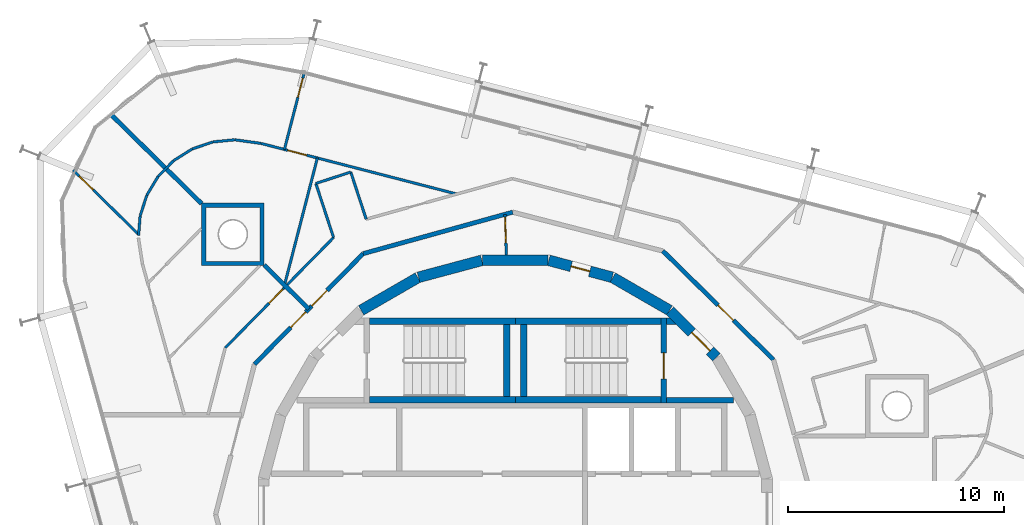
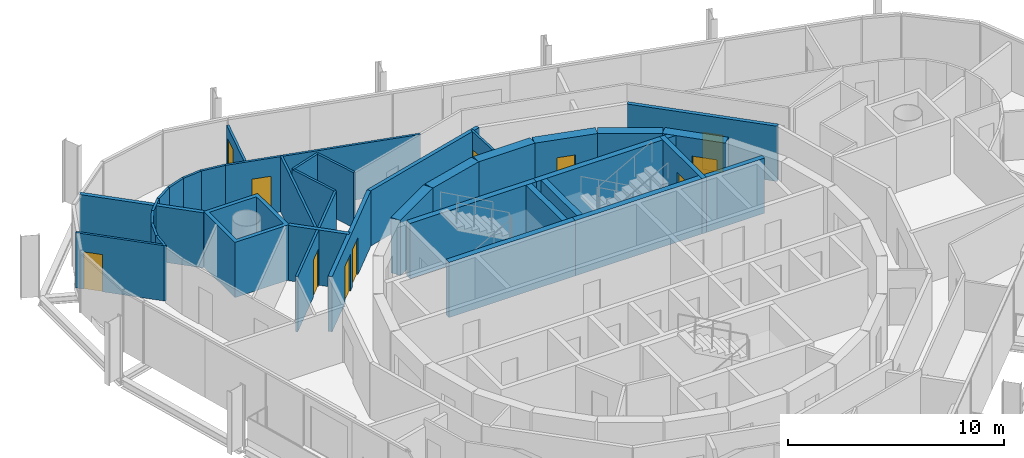
# One storey, part 13 of 15: 38 walls, 11 doors, 11 openings.
"""IFC4 building model written with IfcOpenShell, lengths in metres."""

from ifc_helpers import new_model, si_unit, direction, frame, frame_2d, origin, place, context, subcontext, project, spatial, polyline, rectangle, outline, extrude, material, layer, layer_set, type_object, element, fill, save


model = new_model("IFC4")

# Units and contexts
model_context = context("Model", 3, precision=1e-05, world=origin(), true_north=direction((0.0, 1.0)))
body_context = subcontext(model_context, "Body", "Model", "MODEL_VIEW")
ifc_project = project(units=[si_unit("LENGTHUNIT", "METRE"), si_unit("AREAUNIT", "SQUARE_METRE"), si_unit("VOLUMEUNIT", "CUBIC_METRE"), si_unit("PLANEANGLEUNIT", "RADIAN"), si_unit("MASSUNIT", "GRAM", prefix="KILO")], contexts=[model_context])

# Site, building, storey
site_placement = place(None, origin())
site = spatial("IfcSite", under=ifc_project, at=site_placement, CompositionType="ELEMENT")
building_placement = place(site_placement, origin())
building = spatial("IfcBuilding", under=site, at=building_placement, Name="Spindle Arch Residences", CompositionType="ELEMENT")
storey_placement = place(building_placement, frame((0.0, 0.0, 319.199951171875)))
storey = spatial("IfcBuildingStorey", under=building, at=storey_placement, Name="L82", CompositionType="ELEMENT", Elevation=319.199951171875)

# Wall, opening, door
ifc_material_1 = material(Name="Concrete C50/60", Category="concrete")
ifc_layer_1 = layer(ifc_material_1, 0.5)
ifc_layer_set_1 = layer_set([ifc_layer_1], Name="Core outline wall 500")
wall_type_1 = type_object("IfcWallType", Name="Core outline wall 500", PredefinedType="SHEAR", material=ifc_layer_set_1)
wall_1_placement = place(storey_placement, frame((9.30810546875, 7.163818359375, 0.0), z_axis=(0.0, 0.0, 1.0), x_axis=(-0.707106781187, 0.707106781187, 0.0)))
wall_1 = element("IfcWall", 1, at=wall_1_placement, inside=storey, type_object=wall_type_1, Name="Core outline wall 9", PredefinedType="SHEAR", context=body_context, shape_type="SweptSolid", body=[
    extrude(rectangle(XDim=3.032470703125, YDim=0.5, at=frame_2d((1.51611328125, 0.0))), origin(), (0.0, 0.0, 1.0), 3.1201171875),
])
opening_1_placement = place(wall_1_placement, frame((0.416259765625, 0.0, 0.0)))
opening_1 = element("IfcOpeningElement", 2, at=opening_1_placement, cuts=wall_1, Name="Opening R8C0-AD01", PredefinedType="OPENING", context=body_context, shape_type="SweptSolid", body=[
    extrude(rectangle(XDim=1.199951171875, YDim=2.10009765625, at=frame_2d((0.60009765625, 1.050048828125))), frame((0.0, 0.260009765625, 0.0), z_axis=(0.0, -1.0, 0.0), x_axis=(1.0, 0.0, 0.0)), (0.0, 0.0, 1.0), 0.52001953125),
])
ifc_material_2 = material(Name="Steel, fire-resisting door", Category="steel")
door_type_1 = type_object("IfcDoorType", Name="Stair airlock door 1200x2100", OperationType="SINGLE_SWING_LEFT", PredefinedType="DOOR", material=ifc_material_2)
door_1_placement = place(opening_1_placement, origin())
door_1 = element("IfcDoor", 3, at=door_1_placement, inside=storey, type_object=door_type_1, Name="Stair airlock door R8C0-AD01", OperationType="SINGLE_SWING_RIGHT", OverallHeight=2.10009765625, OverallWidth=1.199951171875, PredefinedType="DOOR", context=body_context, shape_type="SweptSolid", body=[
    extrude(rectangle(XDim=1.199951171875, YDim=2.10009765625, at=frame_2d((0.60009765625, 1.050048828125))), frame((0.0, 0.02490234375, 0.0), z_axis=(0.0, -1.0, 0.0), x_axis=(1.0, 0.0, 0.0)), (0.0, 0.0, 1.0), 0.050048828125),
])
fill(opening_1, door_1)

# Wall
wall_2_placement = place(storey_placement, frame((7.13671875, 9.32861328125, 0.0), z_axis=(0.0, 0.0, 1.0), x_axis=(-0.865975092491, 0.500087131594, 0.0)))
element("IfcWall", 4, at=wall_2_placement, inside=storey, type_object=wall_type_1, Name="Core outline wall 10", PredefinedType="SHEAR", context=body_context, shape_type="SweptSolid", body=[
    extrude(rectangle(XDim=3.03271484375, YDim=0.5, at=frame_2d((1.516357421875, 0.0))), origin(), (0.0, 0.0, 1.0), 3.1201171875),
])

# Wall, opening, door
wall_3_placement = place(storey_placement, frame((4.479248046875, 10.858154296875, 0.0), z_axis=(0.0, 0.0, 1.0), x_axis=(-0.965948410781, 0.258734743916, 0.0)))
wall_3 = element("IfcWall", 5, at=wall_3_placement, inside=storey, type_object=wall_type_1, Name="Core outline wall 11", PredefinedType="SHEAR", context=body_context, shape_type="SweptSolid", body=[
    extrude(rectangle(XDim=3.03271484375, YDim=0.5, at=frame_2d((1.516357421875, 0.0))), origin(), (0.0, 0.0, 1.0), 3.1201171875),
])
opening_2_placement = place(wall_3_placement, frame((1.066162109375, 0.0, 0.0)))
opening_2 = element("IfcOpeningElement", 6, at=opening_2_placement, cuts=wall_3, Name="Opening R8C0-WD11", PredefinedType="OPENING", context=body_context, shape_type="SweptSolid", body=[
    extrude(rectangle(XDim=0.89990234375, YDim=2.10009765625, at=frame_2d((0.449951171875, 1.050048828125))), frame((0.0, 0.260009765625, 0.0), z_axis=(0.0, -1.0, 0.0), x_axis=(1.0, 0.0, 0.0)), (0.0, 0.0, 1.0), 0.52001953125),
])
ifc_material_3 = material(Name="Steel, fire-resisting door", Category="steel")
door_type_2 = type_object("IfcDoorType", Name="Service room door 900x2100", OperationType="SINGLE_SWING_LEFT", PredefinedType="DOOR", material=ifc_material_3)
door_2_placement = place(opening_2_placement, origin())
door_2 = element("IfcDoor", 7, at=door_2_placement, inside=storey, type_object=door_type_2, Name="Service room door R8C0-WD11", OperationType="SINGLE_SWING_LEFT", OverallHeight=2.10009765625, OverallWidth=0.89990234375, PredefinedType="DOOR", context=body_context, shape_type="SweptSolid", body=[
    extrude(rectangle(XDim=0.89990234375, YDim=2.10009765625, at=frame_2d((0.449951171875, 1.050048828125))), frame((0.0, 0.02490234375, 0.0), z_axis=(0.0, -1.0, 0.0), x_axis=(1.0, 0.0, 0.0)), (0.0, 0.0, 1.0), 0.050048828125),
])
fill(opening_2, door_2)

# Walls
for number, where, z_axis, x_axis, name in (
    (8, (1.516357421875, 11.647216796875, 0.0), (0.0, 0.0, 1.0), (-1.0, 0.0, 0.0), "Core outline wall 12"),
    (9, (-1.5498046875, 11.642822265625, 0.0), (0.0, 0.0, 1.0), (-0.965948410781, -0.258734743916, 0.0), "Core outline wall 13"),
    (10, (-4.510498046875, 10.84521484375, 0.0), (0.0, 0.0, 1.0), (-0.865975092491, -0.500087131594, 0.0), "Core outline wall 14"),
):
    element("IfcWall", number, at=place(storey_placement, frame(where, z_axis=z_axis, x_axis=x_axis)), inside=storey, type_object=wall_type_1, Name=name, PredefinedType="SHEAR", context=body_context, shape_type="SweptSolid", body=[
        extrude(rectangle(XDim=3.03271484375, YDim=0.5, at=frame_2d((1.516357421875, 0.0))), origin(), (0.0, 0.0, 1.0), 3.1201171875),
    ])

# Wall, opening, door
ifc_material_4 = material(Name="Plasterboard on steel studs", Category="steel")
ifc_layer_2 = layer(ifc_material_4, 0.1201171875)
ifc_layer_set_2 = layer_set([ifc_layer_2], Name="Corridor division wall 120")
wall_type_2 = type_object("IfcWallType", Name="Corridor division wall 120", PredefinedType="PARTITIONING", material=ifc_layer_set_2)
wall_4_placement = place(storey_placement, frame((-0.48095703125, 13.7724609375, 0.0), z_axis=(0.0, 0.0, 1.0), x_axis=(0.034870071203, -0.999391854146, 0.0)))
wall_4 = element("IfcWall", 11, at=wall_4_placement, inside=storey, type_object=wall_type_2, Name="Corridor division wall R8C0-W001", PredefinedType="PARTITIONING", context=body_context, shape_type="SweptSolid", body=[
    extrude(rectangle(XDim=1.87646484375, YDim=0.1201171875, at=frame_2d((0.938232421875, 0.0))), origin(), (0.0, 0.0, 1.0), 3.1201171875),
])
opening_3_placement = place(wall_4_placement, frame((0.125, 0.0, 0.0)))
opening_3 = element("IfcOpeningElement", 12, at=opening_3_placement, cuts=wall_4, Name="Opening R8C0-CD01", PredefinedType="OPENING", context=body_context, shape_type="SweptSolid", body=[
    extrude(rectangle(XDim=1.199951171875, YDim=2.10009765625, at=frame_2d((0.60009765625, 1.050048828125))), frame((0.0, 0.070068359375, 0.0), z_axis=(0.0, -1.0, 0.0), x_axis=(1.0, 0.0, 0.0)), (0.0, 0.0, 1.0), 0.14013671875),
])
ifc_material_5 = material(Name="Steel, fire-resisting door", Category="steel")
door_type_3 = type_object("IfcDoorType", Name="Corridor division door 1200x2100", OperationType="NOTDEFINED", PredefinedType="DOOR", material=ifc_material_5)
door_3_placement = place(opening_3_placement, origin())
door_3 = element("IfcDoor", 13, at=door_3_placement, inside=storey, type_object=door_type_3, Name="Corridor division door R8C0-CD01", OperationType="DOUBLE_DOOR_SINGLE_SWING", OverallHeight=2.10009765625, OverallWidth=1.199951171875, PredefinedType="DOOR", context=body_context, shape_type="SweptSolid", body=[
    extrude(rectangle(XDim=1.199951171875, YDim=2.10009765625, at=frame_2d((0.60009765625, 1.050048828125))), frame((0.0, 0.02490234375, 0.0), z_axis=(0.0, -1.0, 0.0), x_axis=(1.0, 0.0, 0.0)), (0.0, 0.0, 1.0), 0.050048828125),
])
fill(opening_3, door_3)

ifc_material_6 = material(Name="Calcium silicate block, plastered")
ifc_layer_3 = layer(ifc_material_6, 0.199951171875)
ifc_layer_set_3 = layer_set([ifc_layer_3], Name="Corridor wall 200")
wall_type_3 = type_object("IfcWallType", Name="Corridor wall 200", PredefinedType="STANDARD", material=ifc_layer_set_3)
wall_5_placement = place(storey_placement, frame((11.953125, 7.041015625, 0.0), z_axis=(0.0, 0.0, 1.0), x_axis=(-0.713250549143, 0.70090916255, 0.0)))
wall_5 = element("IfcWall", 14, at=wall_5_placement, inside=storey, type_object=wall_type_3, Name="Corridor wall R8C0-W007", PredefinedType="STANDARD", context=body_context, shape_type="SweptSolid", body=[
    extrude(rectangle(XDim=7.180908203125, YDim=0.199951171875, at=frame_2d((3.59033203125, 0.0))), origin(), (0.0, 0.0, 1.0), 3.1201171875),
])
opening_4_placement = place(wall_5_placement, frame((2.60009765625, 0.0, 0.0)))
opening_4 = element("IfcOpeningElement", 15, at=opening_4_placement, cuts=wall_5, Name="Opening R8C0-FD01", PredefinedType="OPENING", context=body_context, shape_type="SweptSolid", body=[
    extrude(rectangle(XDim=1.0, YDim=2.10009765625, at=frame_2d((0.5, 1.050048828125))), frame((0.0, 0.10986328125, 0.0), z_axis=(0.0, -1.0, 0.0), x_axis=(1.0, 0.0, 0.0)), (0.0, 0.0, 1.0), 0.219970703125),
])
ifc_material_7 = material(Name="Timber, fire-resisting door set", Category="wood")
door_type_4 = type_object("IfcDoorType", Name="Flat entrance door 1000x2100", OperationType="NOTDEFINED", PredefinedType="DOOR", material=ifc_material_7)
door_4_placement = place(opening_4_placement, origin())
door_4 = element("IfcDoor", 16, at=door_4_placement, inside=storey, type_object=door_type_4, Name="Flat entrance door R8C0-FD01", OperationType="SINGLE_SWING_LEFT", OverallHeight=2.10009765625, OverallWidth=1.0, PredefinedType="DOOR", context=body_context, shape_type="SweptSolid", body=[
    extrude(rectangle(XDim=1.0, YDim=2.10009765625, at=frame_2d((0.5, 1.050048828125))), frame((0.0, 0.02490234375, 0.0), z_axis=(0.0, -1.0, 0.0), x_axis=(1.0, 0.0, 0.0)), (0.0, 0.0, 1.0), 0.050048828125),
])
fill(opening_4, door_4)

# Wall
wall_6_placement = place(storey_placement, frame((-0.12109375, 13.872314453125, 0.0), z_axis=(0.0, 0.0, 1.0), x_axis=(-0.963625960674, -0.267254575108, 0.0)))
element("IfcWall", 17, at=wall_6_placement, inside=storey, type_object=wall_type_3, Name="Corridor wall R8C0-W009", PredefinedType="STANDARD", context=body_context, shape_type="SweptSolid", body=[
    extrude(rectangle(XDim=7.18115234375, YDim=0.199951171875, at=frame_2d((3.590576171875, 0.0))), origin(), (0.0, 0.0, 1.0), 3.1201171875),
])

# Wall, openings, doors
wall_7_placement = place(storey_placement, frame((-7.041015625, 11.953125, 0.0), z_axis=(0.0, 0.0, 1.0), x_axis=(-0.70090916255, -0.713250549143, 0.0)))
wall_7 = element("IfcWall", 18, at=wall_7_placement, inside=storey, type_object=wall_type_3, Name="Corridor wall R8C0-W012", PredefinedType="STANDARD", context=body_context, shape_type="SweptSolid", body=[
    extrude(rectangle(XDim=7.180908203125, YDim=0.199951171875, at=frame_2d((3.59033203125, 0.0))), origin(), (0.0, 0.0, 1.0), 3.1201171875),
])
opening_5_placement = place(wall_7_placement, frame((2.390380859375, 0.0, 0.0)))
opening_5 = element("IfcOpeningElement", 19, at=opening_5_placement, cuts=wall_7, Name="Opening R8C0-FD02", PredefinedType="OPENING", context=body_context, shape_type="SweptSolid", body=[
    extrude(rectangle(XDim=1.0, YDim=2.10009765625, at=frame_2d((0.5, 1.050048828125))), frame((0.0, 0.10986328125, 0.0), z_axis=(0.0, -1.0, 0.0), x_axis=(1.0, 0.0, 0.0)), (0.0, 0.0, 1.0), 0.219970703125),
])
opening_6_placement = place(wall_7_placement, frame((3.79052734375, 0.0, 0.0)))
opening_6 = element("IfcOpeningElement", 20, at=opening_6_placement, cuts=wall_7, Name="Opening R8C0-FD03", PredefinedType="OPENING", context=body_context, shape_type="SweptSolid", body=[
    extrude(rectangle(XDim=1.0, YDim=2.10009765625, at=frame_2d((0.5, 1.050048828125))), frame((0.0, 0.10986328125, 0.0), z_axis=(0.0, -1.0, 0.0), x_axis=(1.0, 0.0, 0.0)), (0.0, 0.0, 1.0), 0.219970703125),
])
door_5_placement = place(opening_5_placement, origin())
door_5 = element("IfcDoor", 21, at=door_5_placement, inside=storey, type_object=door_type_4, Name="Flat entrance door R8C0-FD02", OperationType="SINGLE_SWING_RIGHT", OverallHeight=2.10009765625, OverallWidth=1.0, PredefinedType="DOOR", context=body_context, shape_type="SweptSolid", body=[
    extrude(rectangle(XDim=1.0, YDim=2.10009765625, at=frame_2d((0.5, 1.050048828125))), frame((0.0, 0.02490234375, 0.0), z_axis=(0.0, -1.0, 0.0), x_axis=(1.0, 0.0, 0.0)), (0.0, 0.0, 1.0), 0.050048828125),
])
fill(opening_5, door_5)
door_6_placement = place(opening_6_placement, origin())
door_6 = element("IfcDoor", 22, at=door_6_placement, inside=storey, type_object=door_type_4, Name="Flat entrance door R8C0-FD03", OperationType="SINGLE_SWING_LEFT", OverallHeight=2.10009765625, OverallWidth=1.0, PredefinedType="DOOR", context=body_context, shape_type="SweptSolid", body=[
    extrude(rectangle(XDim=1.0, YDim=2.10009765625, at=frame_2d((0.5, 1.050048828125))), frame((0.0, 0.02490234375, 0.0), z_axis=(0.0, -1.0, 0.0), x_axis=(1.0, 0.0, 0.0)), (0.0, 0.0, 1.0), 0.050048828125),
])
fill(opening_6, door_6)

# Walls
ifc_material_8 = material(Name="Plasterboard on steel studs", Category="steel")
ifc_layer_4 = layer(ifc_material_8, 0.1201171875)
ifc_layer_set_4 = layer_set([ifc_layer_4], Name="Flat partition 120")
wall_type_4 = type_object("IfcWallType", Name="Flat partition 120", PredefinedType="PARTITIONING", material=ifc_layer_set_4)
wall_8_placement = place(storey_placement, frame((-6.902099609375, 13.548095703125, 0.0), z_axis=(0.0, 0.0, 1.0), x_axis=(-0.311311440769, 0.950307943167, 0.0)))
element("IfcWall", 23, at=wall_8_placement, inside=storey, type_object=wall_type_4, Name="Flat partition R8C0-W046", PredefinedType="PARTITIONING", context=body_context, shape_type="SweptSolid", body=[
    extrude(rectangle(XDim=2.296142578125, YDim=0.1201171875, at=frame_2d((1.14794921875, 0.0))), origin(), (0.0, 0.0, 1.0), 3.1201171875),
])
wall_9_placement = place(storey_placement, frame((-7.616943359375, 15.730224609375, 0.0), z_axis=(0.0, 0.0, 1.0), x_axis=(-0.950307562936, -0.311312601457, 0.0)))
element("IfcWall", 24, at=wall_9_placement, inside=storey, type_object=wall_type_4, Name="Flat partition R8C0-W047", PredefinedType="PARTITIONING", context=body_context, shape_type="SweptSolid", body=[
    extrude(rectangle(XDim=1.7001953125, YDim=0.1201171875, at=frame_2d((0.85009765625, 0.0))), origin(), (0.0, 0.0, 1.0), 3.1201171875),
])
wall_10_placement = place(storey_placement, frame((-9.232666015625, 15.200927734375, 0.0), z_axis=(0.0, 0.0, 1.0), x_axis=(0.311302357688, -0.950310918646, 0.0)))
element("IfcWall", 25, at=wall_10_placement, inside=storey, type_object=wall_type_4, Name="Flat partition R8C0-W048", PredefinedType="PARTITIONING", context=body_context, shape_type="SweptSolid", body=[
    extrude(rectangle(XDim=2.63427734375, YDim=0.1201171875, at=frame_2d((1.317138671875, 0.0))), origin(), (0.0, 0.0, 1.0), 3.1201171875),
])

# Wall, opening, door
wall_11_placement = place(storey_placement, frame((-8.41259765625, 12.697509765625, 0.0), z_axis=(0.0, 0.0, 1.0), x_axis=(-0.700901588882, -0.713257991686, 0.0)))
wall_11 = element("IfcWall", 26, at=wall_11_placement, inside=storey, type_object=wall_type_4, Name="Flat partition R8C0-W049", PredefinedType="PARTITIONING", context=body_context, shape_type="SweptSolid", body=[
    extrude(rectangle(XDim=7.152587890625, YDim=0.1201171875, at=frame_2d((3.576171875, 0.0))), origin(), (0.0, 0.0, 1.0), 3.1201171875),
])
opening_7_placement = place(wall_11_placement, frame((3.360107421875, 0.0, 0.0)))
opening_7 = element("IfcOpeningElement", 27, at=opening_7_placement, cuts=wall_11, Name="Opening R8C0-ID08", PredefinedType="OPENING", context=body_context, shape_type="SweptSolid", body=[
    extrude(rectangle(XDim=0.89990234375, YDim=2.10009765625, at=frame_2d((0.449951171875, 1.050048828125))), frame((0.0, 0.070068359375, 0.0), z_axis=(0.0, -1.0, 0.0), x_axis=(1.0, 0.0, 0.0)), (0.0, 0.0, 1.0), 0.14013671875),
])
ifc_material_9 = material(Name="Timber door set", Category="wood")
door_type_5 = type_object("IfcDoorType", Name="Room door 900x2100", OperationType="NOTDEFINED", PredefinedType="DOOR", material=ifc_material_9)
door_7_placement = place(opening_7_placement, origin())
door_7 = element("IfcDoor", 28, at=door_7_placement, inside=storey, type_object=door_type_5, Name="Room door R8C0-ID08", OperationType="SINGLE_SWING_LEFT", OverallHeight=2.10009765625, OverallWidth=0.89990234375, PredefinedType="DOOR", context=body_context, shape_type="SweptSolid", body=[
    extrude(rectangle(XDim=0.89990234375, YDim=2.10009765625, at=frame_2d((0.449951171875, 1.050048828125))), frame((0.0, 0.02490234375, 0.0), z_axis=(0.0, -1.0, 0.0), x_axis=(1.0, 0.0, 0.0)), (0.0, 0.0, 1.0), 0.050048828125),
])
fill(opening_7, door_7)

wall_12_placement = place(storey_placement, frame((-11.768798828125, 17.054443359375, 0.0), z_axis=(0.0, 0.0, 1.0), x_axis=(0.968146475492, -0.250384508293, 0.0)))
wall_12 = element("IfcWall", 29, at=wall_12_placement, inside=storey, type_object=wall_type_4, Name="Flat partition R8C0-W050", PredefinedType="PARTITIONING", context=body_context, shape_type="SweptSolid", body=[
    extrude(rectangle(XDim=9.358642578125, YDim=0.1201171875, at=frame_2d((4.67919921875, 0.0))), origin(), (0.0, 0.0, 1.0), 3.1201171875),
])
opening_8_placement = place(wall_12_placement, frame((1.2763671875, 0.0, 0.0)))
opening_8 = element("IfcOpeningElement", 30, at=opening_8_placement, cuts=wall_12, Name="Opening R8C0-ID07", PredefinedType="OPENING", context=body_context, shape_type="SweptSolid", body=[
    extrude(rectangle(XDim=0.89990234375, YDim=2.10009765625, at=frame_2d((0.449951171875, 1.050048828125))), frame((0.0, 0.070068359375, 0.0), z_axis=(0.0, -1.0, 0.0), x_axis=(1.0, 0.0, 0.0)), (0.0, 0.0, 1.0), 0.14013671875),
])
door_8_placement = place(opening_8_placement, origin())
door_8 = element("IfcDoor", 31, at=door_8_placement, inside=storey, type_object=door_type_5, Name="Room door R8C0-ID07", OperationType="SINGLE_SWING_LEFT", OverallHeight=2.10009765625, OverallWidth=0.89990234375, PredefinedType="DOOR", context=body_context, shape_type="SweptSolid", body=[
    extrude(rectangle(XDim=0.89990234375, YDim=2.10009765625, at=frame_2d((0.449951171875, 1.050048828125))), frame((0.0, 0.02490234375, 0.0), z_axis=(0.0, -1.0, 0.0), x_axis=(1.0, 0.0, 0.0)), (0.0, 0.0, 1.0), 0.050048828125),
])
fill(opening_8, door_8)

# Walls
wall_13_placement = place(storey_placement, frame((-9.161865234375, 16.38037109375, 0.0), z_axis=(0.0, 0.0, 1.0), x_axis=(-0.250384770134, -0.968146407774, 0.0)))
element("IfcWall", 32, at=wall_13_placement, inside=storey, type_object=wall_type_4, Name="Flat partition R8C0-W052", PredefinedType="PARTITIONING", context=body_context, shape_type="SweptSolid", body=[
    extrude(rectangle(XDim=6.07568359375, YDim=0.1201171875, at=frame_2d((3.037841796875, 0.0))), origin(), (0.0, 0.0, 1.0), 3.1201171875),
])
for number, where, z_axis, x_axis, name in (
    (33, (-16.529052734375, 15.531005859375, 0.0), (0.0, 0.0, 1.0), (0.7009526022, 0.71320785853, 0.0), "Flat partition R8C0-W053"),
    (34, (-15.81689453125, 16.255615234375, 0.0), (0.0, 0.0, 1.0), (0.846509670316, 0.53237334462, 0.0), "Flat partition R8C0-W054"),
    (35, (-14.95703125, 16.79638671875, 0.0), (0.0, 0.0, 1.0), (0.946473479872, 0.322781585441, 0.0), "Flat partition R8C0-W055"),
    (36, (-13.99560546875, 17.124267578125, 0.0), (0.0, 0.0, 1.0), (0.995392282416, 0.095886412526, 0.0), "Flat partition R8C0-W056"),
):
    element("IfcWall", number, at=place(storey_placement, frame(where, z_axis=z_axis, x_axis=x_axis)), inside=storey, type_object=wall_type_4, Name=name, PredefinedType="PARTITIONING", context=body_context, shape_type="SweptSolid", body=[
        extrude(rectangle(XDim=1.015869140625, YDim=0.1201171875, at=frame_2d((0.5078125, 0.0))), origin(), (0.0, 0.0, 1.0), 3.1201171875),
    ])
wall_14_placement = place(storey_placement, frame((-12.984375, 17.2216796875, 0.0), z_axis=(0.0, 0.0, 1.0), x_axis=(0.990668432332, -0.136294010072, 0.0)))
element("IfcWall", 37, at=wall_14_placement, inside=storey, type_object=wall_type_4, Name="Flat partition R8C0-W057", PredefinedType="PARTITIONING", context=body_context, shape_type="SweptSolid", body=[
    extrude(rectangle(XDim=1.22705078125, YDim=0.1201171875, at=frame_2d((0.613525390625, 0.0))), origin(), (0.0, 0.0, 1.0), 3.1201171875),
])
wall_15_placement = place(storey_placement, frame((-17.4365234375, 12.79833984375, 0.0), z_axis=(0.0, 0.0, 1.0), x_axis=(0.078482315782, 0.996915506003, 0.0)))
element("IfcWall", 38, at=wall_15_placement, inside=storey, type_object=wall_type_4, Name="Flat partition R8C0-W059", PredefinedType="PARTITIONING", context=body_context, shape_type="SweptSolid", body=[
    extrude(rectangle(XDim=0.89892578125, YDim=0.1201171875, at=frame_2d((0.449462890625, 0.0))), origin(), (0.0, 0.0, 1.0), 3.1201171875),
])
for number, where, z_axis, x_axis, name in (
    (39, (-17.365966796875, 13.694580078125, 0.0), (0.0, 0.0, 1.0), (0.306405887477, 0.951900957096, 0.0), "Flat partition R8C0-W060"),
    (40, (-17.0546875, 14.66162109375, 0.0), (0.0, 0.0, 1.0), (0.517390691583, 0.855749304565, 0.0), "Flat partition R8C0-W061"),
):
    element("IfcWall", number, at=place(storey_placement, frame(where, z_axis=z_axis, x_axis=x_axis)), inside=storey, type_object=wall_type_4, Name=name, PredefinedType="PARTITIONING", context=body_context, shape_type="SweptSolid", body=[
        extrude(rectangle(XDim=1.015869140625, YDim=0.1201171875, at=frame_2d((0.5078125, 0.0))), origin(), (0.0, 0.0, 1.0), 3.1201171875),
    ])

# Wall, opening, door
wall_16_placement = place(storey_placement, frame((-20.46484375, 15.817138671875, 0.0), z_axis=(0.0, 0.0, 1.0), x_axis=(0.713254811643, -0.700904824971, 0.0)))
wall_16 = element("IfcWall", 41, at=wall_16_placement, inside=storey, type_object=wall_type_4, Name="Flat partition R8C0-W062", PredefinedType="PARTITIONING", context=body_context, shape_type="SweptSolid", body=[
    extrude(rectangle(XDim=4.250244140625, YDim=0.1201171875, at=frame_2d((2.125, 0.0))), origin(), (0.0, 0.0, 1.0), 3.1201171875),
])
opening_9_placement = place(wall_16_placement, frame((0.39990234375, 0.0, 0.0)))
opening_9 = element("IfcOpeningElement", 42, at=opening_9_placement, cuts=wall_16, Name="Opening R8C0-ID11", PredefinedType="OPENING", context=body_context, shape_type="SweptSolid", body=[
    extrude(rectangle(XDim=0.89990234375, YDim=2.10009765625, at=frame_2d((0.449951171875, 1.050048828125))), frame((0.0, 0.070068359375, 0.0), z_axis=(0.0, -1.0, 0.0), x_axis=(1.0, 0.0, 0.0)), (0.0, 0.0, 1.0), 0.14013671875),
])
door_9_placement = place(opening_9_placement, origin())
door_9 = element("IfcDoor", 43, at=door_9_placement, inside=storey, type_object=door_type_5, Name="Room door R8C0-ID11", OperationType="SINGLE_SWING_LEFT", OverallHeight=2.10009765625, OverallWidth=0.89990234375, PredefinedType="DOOR", context=body_context, shape_type="SweptSolid", body=[
    extrude(rectangle(XDim=0.89990234375, YDim=2.10009765625, at=frame_2d((0.449951171875, 1.050048828125))), frame((0.0, 0.02490234375, 0.0), z_axis=(0.0, -1.0, 0.0), x_axis=(1.0, 0.0, 0.0)), (0.0, 0.0, 1.0), 0.050048828125),
])
fill(opening_9, door_9)

ifc_material_10 = material(Name="Plasterboard on steel studs", Category="steel")
ifc_layer_5 = layer(ifc_material_10, 0.1201171875)
ifc_layer_set_5 = layer_set([ifc_layer_5], Name="Flat partition 120 under beam 2730")
wall_type_5 = type_object("IfcWallType", Name="Flat partition 120 under beam 2730", PredefinedType="PARTITIONING", material=ifc_layer_set_5)
wall_17_placement = place(storey_placement, frame((-9.78662109375, 20.26025390625, 0.0), z_axis=(0.0, 0.0, 1.0), x_axis=(-0.250378438176, -0.968148045341, 0.0)))
wall_17 = element("IfcWall", 44, at=wall_17_placement, inside=storey, type_object=wall_type_5, Name="Flat partition R8C0-W051", PredefinedType="PARTITIONING", context=body_context, shape_type="SweptSolid", body=[
    extrude(rectangle(XDim=3.60009765625, YDim=0.1201171875, at=frame_2d((1.800048828125, 0.0))), origin(), (0.0, 0.0, 1.0), 2.72998046875),
])
opening_10_placement = place(wall_17_placement, frame((0.199951171875, 0.0, 0.0)))
opening_10 = element("IfcOpeningElement", 45, at=opening_10_placement, cuts=wall_17, Name="Opening R8C0-ID06", PredefinedType="OPENING", context=body_context, shape_type="SweptSolid", body=[
    extrude(rectangle(XDim=0.89990234375, YDim=2.10009765625, at=frame_2d((0.449951171875, 1.050048828125))), frame((0.0, 0.070068359375, 0.0), z_axis=(0.0, -1.0, 0.0), x_axis=(1.0, 0.0, 0.0)), (0.0, 0.0, 1.0), 0.14013671875),
])
door_10_placement = place(opening_10_placement, origin())
door_10 = element("IfcDoor", 46, at=door_10_placement, inside=storey, type_object=door_type_5, Name="Room door R8C0-ID06", OperationType="SINGLE_SWING_RIGHT", OverallHeight=2.10009765625, OverallWidth=0.89990234375, PredefinedType="DOOR", context=body_context, shape_type="SweptSolid", body=[
    extrude(rectangle(XDim=0.89990234375, YDim=2.10009765625, at=frame_2d((0.449951171875, 1.050048828125))), frame((0.0, 0.02490234375, 0.0), z_axis=(0.0, -1.0, 0.0), x_axis=(1.0, 0.0, 0.0)), (0.0, 0.0, 1.0), 0.050048828125),
])
fill(opening_10, door_10)

# Walls
ifc_material_11 = material(Name="Calcium silicate block, plastered")
ifc_layer_6 = layer(ifc_material_11, 0.199951171875)
ifc_layer_set_6 = layer_set([ifc_layer_6], Name="Flat party wall 200")
wall_type_6 = type_object("IfcWallType", Name="Flat party wall 200", PredefinedType="STANDARD", material=ifc_layer_set_6)
wall_18_placement = place(storey_placement, frame((-11.623291015625, 11.422119140625, 0.0), z_axis=(0.0, 0.0, 1.0), x_axis=(0.713233657229, -0.700926351478, 0.0)))
element("IfcWall", 47, at=wall_18_placement, inside=storey, type_object=wall_type_6, Name="Flat party wall R8C0-W024", PredefinedType="STANDARD", context=body_context, shape_type="SweptSolid", body=[
    extrude(rectangle(XDim=2.896240234375, YDim=0.199951171875, at=frame_2d((1.4482421875, 0.0))), origin(), (0.0, 0.0, 1.0), 3.1201171875),
])
wall_19_placement = place(storey_placement, frame((-18.74072265625, 18.41650390625, 0.0), z_axis=(0.0, 0.0, 1.0), x_axis=(0.713252414586, -0.700907264256, 0.0)))
element("IfcWall", 48, at=wall_19_placement, inside=storey, type_object=wall_type_6, Name="Flat party wall R8C0-W025", PredefinedType="STANDARD", context=body_context, shape_type="SweptSolid", body=[
    extrude(rectangle(XDim=5.9130859375, YDim=0.199951171875, at=frame_2d((2.95654296875, 0.0))), origin(), (0.0, 0.0, 1.0), 3.1201171875),
])
ifc_material_12 = material(Name="Calcium silicate block, plastered")
ifc_layer_7 = layer(ifc_material_12, 0.199951171875)
ifc_layer_set_7 = layer_set([ifc_layer_7], Name="Mega-column casing wall 200")
wall_type_7 = type_object("IfcWallType", Name="Mega-column casing wall 200", PredefinedType="STANDARD", material=ifc_layer_set_7)
wall_20_placement = place(storey_placement, origin())
element("IfcWall", 49, at=wall_20_placement, inside=storey, type_object=wall_type_7, Name="Mega-column casing wall R8C0-WC02", PredefinedType="STANDARD", context=body_context, shape_type="SweptSolid", body=[
    extrude(outline(polyline([(-11.623291015625, 14.297119140625), (-11.623291015625, 11.397216796875), (-14.523193359375, 11.397216796875), (-14.523193359375, 14.297119140625), (-11.623291015625, 14.297119140625)]), holes=[polyline([(-14.3232421875, 11.59716796875), (-11.8232421875, 11.59716796875), (-11.8232421875, 14.09716796875), (-14.3232421875, 14.09716796875), (-14.3232421875, 11.59716796875)])]), origin(), (0.0, 0.0, 1.0), 3.1201171875),
])
ifc_material_13 = material(Name="Concrete C40/50", Category="concrete")
ifc_layer_8 = layer(ifc_material_13, 0.25)
ifc_layer_set_8 = layer_set([ifc_layer_8], Name="Stair airlock wall 250")
wall_type_8 = type_object("IfcWallType", Name="Stair airlock wall 250", PredefinedType="SHEAR", material=ifc_layer_set_8)
wall_21_placement = place(storey_placement, frame((7.0, 5.175048828125, 0.0), z_axis=(0.0, 0.0, 1.0), x_axis=(1.0, 0.0, 0.0)))
element("IfcWall", 50, at=wall_21_placement, inside=storey, type_object=wall_type_8, Name="Stair ST-1 airlock wall S", PredefinedType="SHEAR", context=body_context, shape_type="SweptSolid", body=[
    extrude(rectangle(XDim=3.10009765625, YDim=0.25, at=frame_2d((1.550048828125, 0.0))), origin(), (0.0, 0.0, 1.0), 3.1201171875),
])
ifc_material_14 = material(Name="Concrete C40/50", Category="concrete")
wall_type_9 = type_object("IfcWallType", Name="Stair airlock wall profile", PredefinedType="SHEAR", material=ifc_material_14)
wall_22_placement = place(storey_placement, origin())
element("IfcWall", 51, at=wall_22_placement, inside=storey, type_object=wall_type_9, Name="Stair ST-1 airlock wall N", PredefinedType="SHEAR", context=body_context, shape_type="SweptSolid", body=[
    extrude(outline(polyline([(7.4482421875, 8.669921875), (7.0, 8.669921875), (7.0, 8.969970703125), (7.148193359375, 8.969970703125), (7.4482421875, 8.669921875)])), origin(), (0.0, 0.0, 1.0), 3.1201171875),
])

# Wall, opening, door
ifc_material_15 = material(Name="Concrete C50/60", Category="concrete")
ifc_layer_9 = layer(ifc_material_15, 0.25)
ifc_layer_set_9 = layer_set([ifc_layer_9], Name="Stair enclosure wall 250")
wall_type_10 = type_object("IfcWallType", Name="Stair enclosure wall 250", PredefinedType="SHEAR", material=ifc_layer_set_9)
wall_23_placement = place(storey_placement, frame((6.875, 5.050048828125, 0.0), z_axis=(0.0, 0.0, 1.0), x_axis=(0.0, 1.0, 0.0)))
wall_23 = element("IfcWall", 52, at=wall_23_placement, inside=storey, type_object=wall_type_10, Name="Stair ST-1 door wall", PredefinedType="SHEAR", context=body_context, shape_type="SweptSolid", body=[
    extrude(rectangle(XDim=3.919921875, YDim=0.25, at=frame_2d((1.9599609375, 0.0))), origin(), (0.0, 0.0, 1.0), 3.1201171875),
])
opening_11_placement = place(wall_23_placement, frame((1.110107421875, 0.0, 0.0)))
opening_11 = element("IfcOpeningElement", 53, at=opening_11_placement, cuts=wall_23, Name="Opening R8C0-SD01", PredefinedType="OPENING", context=body_context, shape_type="SweptSolid", body=[
    extrude(rectangle(XDim=1.199951171875, YDim=2.10009765625, at=frame_2d((0.60009765625, 1.050048828125))), frame((0.0, 0.135009765625, 0.0), z_axis=(0.0, -1.0, 0.0), x_axis=(1.0, 0.0, 0.0)), (0.0, 0.0, 1.0), 0.27001953125),
])
ifc_material_16 = material(Name="Steel, fire-resisting door", Category="steel")
door_type_6 = type_object("IfcDoorType", Name="Stair door 1200x2100", OperationType="SINGLE_SWING_RIGHT", PredefinedType="DOOR", material=ifc_material_16)
door_11_placement = place(opening_11_placement, origin())
door_11 = element("IfcDoor", 54, at=door_11_placement, inside=storey, type_object=door_type_6, Name="Stair door R8C0-SD01", OperationType="SINGLE_SWING_LEFT", OverallHeight=2.10009765625, OverallWidth=1.199951171875, PredefinedType="DOOR", context=body_context, shape_type="SweptSolid", body=[
    extrude(rectangle(XDim=1.199951171875, YDim=2.10009765625, at=frame_2d((0.60009765625, 1.050048828125))), frame((0.0, 0.02490234375, 0.0), z_axis=(0.0, -1.0, 0.0), x_axis=(1.0, 0.0, 0.0)), (0.0, 0.0, 1.0), 0.050048828125),
])
fill(opening_11, door_11)

# Walls
ifc_material_17 = material(Name="Concrete C50/60", Category="concrete")
ifc_layer_10 = layer(ifc_material_17, 0.300048828125)
ifc_layer_set_10 = layer_set([ifc_layer_10], Name="Stair enclosure wall 300")
wall_type_11 = type_object("IfcWallType", Name="Stair enclosure wall 300", PredefinedType="SHEAR", material=ifc_layer_set_10)
for number, where, z_axis, x_axis, name in (
    (55, (0.0, 5.199951171875, 0.0), (0.0, 0.0, 1.0), (1.0, 0.0, 0.0), "Stair ST-1 enclosure wall S"),
    (56, (0.0, 8.820068359375, 0.0), (0.0, 0.0, 1.0), (1.0, 0.0, 0.0), "Stair ST-1 enclosure wall N"),
):
    element("IfcWall", number, at=place(storey_placement, frame(where, z_axis=z_axis, x_axis=x_axis)), inside=storey, type_object=wall_type_11, Name=name, PredefinedType="SHEAR", context=body_context, shape_type="SweptSolid", body=[
        extrude(rectangle(XDim=6.75, YDim=0.300048828125, at=frame_2d((3.375, 0.0))), origin(), (0.0, 0.0, 1.0), 3.1201171875),
    ])
wall_24_placement = place(storey_placement, frame((0.39990234375, 5.35009765625, 0.0), z_axis=(0.0, 0.0, 1.0), x_axis=(0.0, 1.0, 0.0)))
element("IfcWall", 57, at=wall_24_placement, inside=storey, type_object=wall_type_11, Name="Stair ST-1 enclosure wall F", PredefinedType="SHEAR", context=body_context, shape_type="SweptSolid", body=[
    extrude(rectangle(XDim=3.31982421875, YDim=0.300048828125, at=frame_2d((1.659912109375, 0.0))), origin(), (0.0, 0.0, 1.0), 3.1201171875),
])
for number, where, z_axis, x_axis, name in (
    (58, (-6.75, 5.199951171875, 0.0), (0.0, 0.0, 1.0), (1.0, 0.0, 0.0), "Stair ST-2 enclosure wall S"),
    (59, (-6.75, 8.820068359375, 0.0), (0.0, 0.0, 1.0), (1.0, 0.0, 0.0), "Stair ST-2 enclosure wall N"),
):
    element("IfcWall", number, at=place(storey_placement, frame(where, z_axis=z_axis, x_axis=x_axis)), inside=storey, type_object=wall_type_11, Name=name, PredefinedType="SHEAR", context=body_context, shape_type="SweptSolid", body=[
        extrude(rectangle(XDim=6.75, YDim=0.300048828125, at=frame_2d((3.375, 0.0))), origin(), (0.0, 0.0, 1.0), 3.1201171875),
    ])
wall_25_placement = place(storey_placement, frame((-0.39990234375, 5.35009765625, 0.0), z_axis=(0.0, 0.0, 1.0), x_axis=(0.0, 1.0, 0.0)))
element("IfcWall", 60, at=wall_25_placement, inside=storey, type_object=wall_type_11, Name="Stair ST-2 enclosure wall F", PredefinedType="SHEAR", context=body_context, shape_type="SweptSolid", body=[
    extrude(rectangle(XDim=3.31982421875, YDim=0.300048828125, at=frame_2d((1.659912109375, 0.0))), origin(), (0.0, 0.0, 1.0), 3.1201171875),
])

save(model, "model.ifc")
